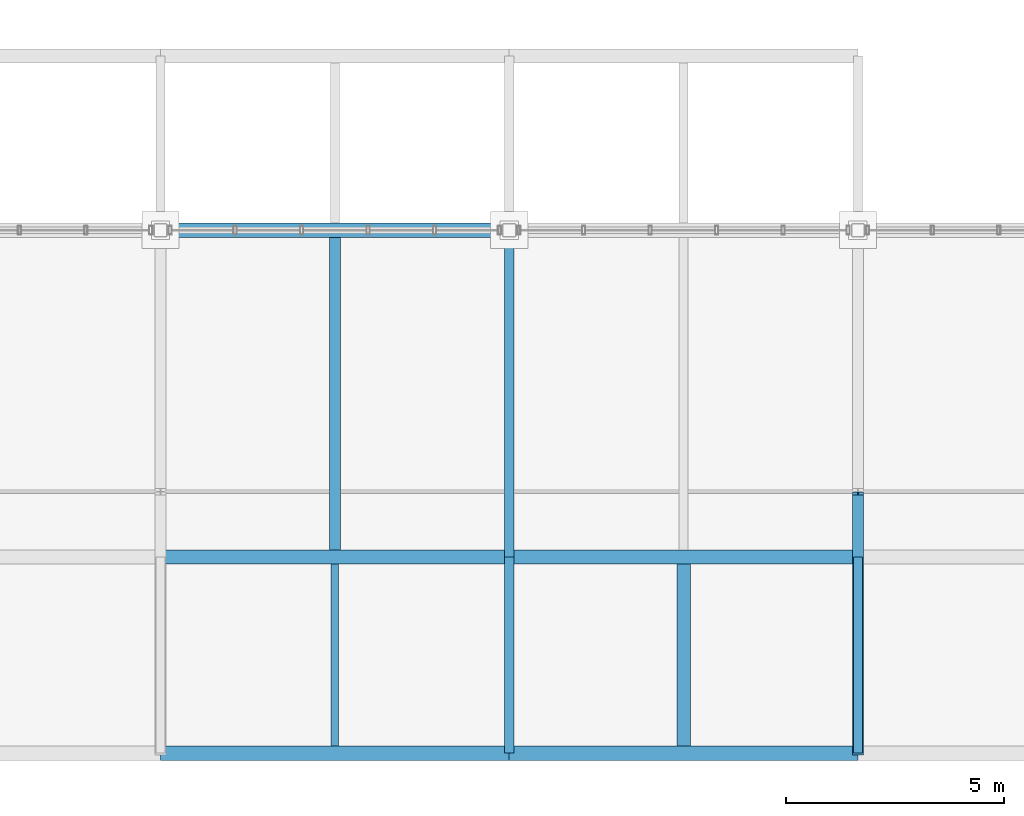
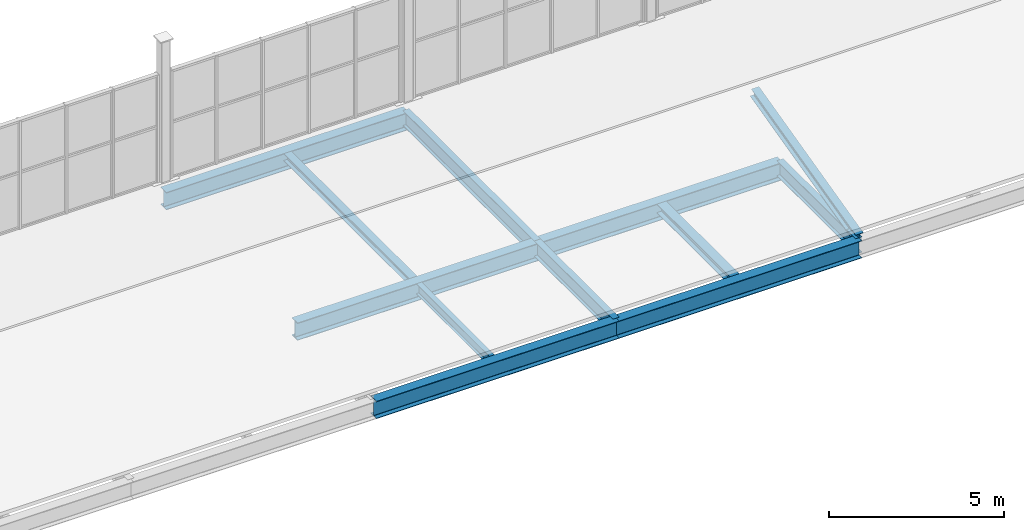
# One storey, part 40 of 96: 11 beams, 1 member.
"""IFC4 building model written with IfcOpenShell, lengths in metres."""

from ifc_helpers import new_model, si_unit, direction, frame, origin, origin_2d, place, context, subcontext, project, spatial, i_section, extrude, material, material_profile, profile_set, type_object, element, save


model = new_model("IFC4")

# Units and contexts
model_context = context("Model", 3, precision=1e-05, world=origin(), true_north=direction((0.0, 1.0)))
body_context = subcontext(model_context, "Body", "Model", "MODEL_VIEW")
ifc_project = project(units=[si_unit("LENGTHUNIT", "METRE"), si_unit("AREAUNIT", "SQUARE_METRE"), si_unit("VOLUMEUNIT", "CUBIC_METRE"), si_unit("PLANEANGLEUNIT", "RADIAN"), si_unit("MASSUNIT", "GRAM", prefix="KILO")], contexts=[model_context])

# Site, building, storey
site_placement = place(None, origin())
site = spatial("IfcSite", under=ifc_project, at=site_placement, CompositionType="ELEMENT")
building_placement = place(site_placement, origin())
building = spatial("IfcBuilding", under=site, at=building_placement, Name="Verrall Gate Interchange", CompositionType="ELEMENT")
storey_placement = place(building_placement, frame((0.0, 0.0, 11.39990234375)))
storey = spatial("IfcBuildingStorey", under=building, at=storey_placement, Name="L03", CompositionType="ELEMENT", Elevation=11.39990234375)

# Beams
ifc_material_1 = material(Name="Structural Steel CSA G40.21 350WT Cat 4", Category="steel")
ifc_material_profile_1 = material_profile(ifc_material_1, i_section(OverallWidth=0.323974609375, OverallDepth=0.611083984375, WebThickness=0.0126953125, FlangeThickness=0.01904296875, FilletRadius=0.014892578125, at=origin_2d()), Name="W610x155")
ifc_profile_set_1 = profile_set([ifc_material_profile_1], Name="Structural Steel CSA G40.21 350WT Cat 4")
beam_type_1 = type_object("IfcBeamType", Name="B-08 Structural Beam W610x155", PredefinedType="BEAM", material=ifc_profile_set_1)
for number, where, z_axis, x_axis, name in (
    (1, (76.0, 0.0, -0.635498046875), (1.0, 0.0, 0.0), (0.0, 1.0, 0.0), "L03 Girder BM-L03-1986 (B-08)"),
    (2, (84.0, 0.0, -0.635498046875), (1.0, 0.0, 0.0), (0.0, 1.0, 0.0), "L03 Girder BM-L03-1987 (B-08)"),
    (3, (76.0, 4.5, -0.635498046875), (1.0, 0.0, 0.0), (0.0, 1.0, 0.0), "L03 Girder BM-L03-2002 (B-08)"),
    (4, (84.0, 4.5, -0.635498046875), (1.0, 0.0, 0.0), (0.0, 1.0, 0.0), "L03 Girder BM-L03-2003 (B-08)"),
    (5, (76.0, 12.0, -0.635498046875), (1.0, 0.0, 0.0), (0.0, 1.0, 0.0), "L03 Girder BM-L03-2017 (B-08)"),
):
    element("IfcBeam", number, at=place(storey_placement, frame(where, z_axis=z_axis, x_axis=x_axis)), inside=storey, type_object=beam_type_1, Name=name, PredefinedType="BEAM", context=body_context, shape_type="SweptSolid", body=[
        extrude(i_section(OverallWidth=0.323974609375, OverallDepth=0.611083984375, WebThickness=0.0126953125, FlangeThickness=0.01904296875, FilletRadius=0.014892578125, at=origin_2d()), origin(), (0.0, 0.0, 1.0), 8.0),
    ])
ifc_material_2 = material(Name="Structural Steel CSA G40.21 350W", Category="steel")
ifc_material_profile_2 = material_profile(ifc_material_2, i_section(OverallWidth=0.2109375, OverallDepth=0.5390625, WebThickness=0.01171875, FlangeThickness=0.018798828125, FilletRadius=0.013916015625, at=origin_2d()), Name="W530x109")
ifc_profile_set_2 = profile_set([ifc_material_profile_2], Name="Structural Steel CSA G40.21 350W")
beam_type_2 = type_object("IfcBeamType", Name="B-10 Structural Beam W530x109", PredefinedType="BEAM", material=ifc_profile_set_2)
beam_1_placement = place(storey_placement, frame((84.0, 0.0, -0.599365234375), z_axis=(0.0, 1.0, 0.0), x_axis=(-1.0, 0.0, 0.0)))
element("IfcBeam", 6, at=beam_1_placement, inside=storey, type_object=beam_type_2, Name="L03 Girder BM-L03-2296 (B-10)", PredefinedType="BEAM", context=body_context, shape_type="SweptSolid", body=[
    extrude(i_section(OverallWidth=0.2109375, OverallDepth=0.5390625, WebThickness=0.01171875, FlangeThickness=0.018798828125, FilletRadius=0.013916015625, at=origin_2d()), origin(), (0.0, 0.0, 1.0), 4.5),
])
beam_2_placement = place(storey_placement, frame((84.0, 4.5, -0.599365234375), z_axis=(0.0, 1.0, 0.0), x_axis=(-1.0, 0.0, 0.0)))
element("IfcBeam", 7, at=beam_2_placement, inside=storey, type_object=beam_type_2, Name="L03 Girder BM-L03-2297 (B-10)", PredefinedType="BEAM", context=body_context, shape_type="SweptSolid", body=[
    extrude(i_section(OverallWidth=0.2109375, OverallDepth=0.5390625, WebThickness=0.01171875, FlangeThickness=0.018798828125, FilletRadius=0.013916015625, at=origin_2d()), origin(), (0.0, 0.0, 1.0), 7.5),
])
beam_3_placement = place(storey_placement, frame((92.0, 0.0, -0.599365234375), z_axis=(0.0, 1.0, 0.0), x_axis=(-1.0, 0.0, 0.0)))
element("IfcBeam", 8, at=beam_3_placement, inside=storey, type_object=beam_type_2, Name="L03 Girder BM-L03-2301 (B-10)", PredefinedType="BEAM", context=body_context, shape_type="SweptSolid", body=[
    extrude(i_section(OverallWidth=0.2109375, OverallDepth=0.5390625, WebThickness=0.01171875, FlangeThickness=0.018798828125, FilletRadius=0.013916015625, at=origin_2d()), origin(), (0.0, 0.0, 1.0), 4.5),
])
ifc_material_3 = material(Name="Structural Steel CSA G40.21 350W", Category="steel")
ifc_material_profile_3 = material_profile(ifc_material_3, i_section(OverallWidth=0.172119140625, OverallDepth=0.35791015625, WebThickness=0.0078125, FlangeThickness=0.01318359375, FilletRadius=0.010986328125, at=origin_2d()), Name="W360x57")
ifc_profile_set_3 = profile_set([ifc_material_profile_3], Name="Structural Steel CSA G40.21 350W")
beam_type_3 = type_object("IfcBeamType", Name="J-01 Floor Joist W360x57", PredefinedType="JOIST", material=ifc_profile_set_3)
beam_4_placement = place(storey_placement, frame((80.0, 0.162109375, -0.5087890625), z_axis=(0.0, 1.0, 0.0), x_axis=(-1.0, 0.0, 0.0)))
element("IfcBeam", 9, at=beam_4_placement, inside=storey, type_object=beam_type_3, Name="L03 Secondary Floor Joist JST-L03-2389", PredefinedType="JOIST", context=body_context, shape_type="SweptSolid", body=[
    extrude(i_section(OverallWidth=0.172119140625, OverallDepth=0.35791015625, WebThickness=0.0078125, FlangeThickness=0.01318359375, FilletRadius=0.010986328125, at=origin_2d()), origin(), (0.0, 0.0, 1.0), 4.17578125),
])
ifc_material_4 = material(Name="Structural Steel CSA G40.21 350W", Category="steel")
ifc_material_profile_4 = material_profile(ifc_material_4, i_section(OverallWidth=0.306884765625, OverallDepth=0.31396484375, WebThickness=0.011962890625, FlangeThickness=0.018798828125, FilletRadius=0.013916015625, at=origin_2d()), Name="W310x118")
ifc_profile_set_4 = profile_set([ifc_material_profile_4], Name="Structural Steel CSA G40.21 350W")
beam_type_4 = type_object("IfcBeamType", Name="J-02 Floor Joist W310x118", PredefinedType="JOIST", material=ifc_profile_set_4)
beam_5_placement = place(storey_placement, frame((88.0, 0.162109375, -0.48681640625), z_axis=(0.0, 1.0, 0.0), x_axis=(-1.0, 0.0, 0.0)))
element("IfcBeam", 10, at=beam_5_placement, inside=storey, type_object=beam_type_4, Name="L03 Secondary Floor Joist JST-L03-2390", PredefinedType="JOIST", context=body_context, shape_type="SweptSolid", body=[
    extrude(i_section(OverallWidth=0.306884765625, OverallDepth=0.31396484375, WebThickness=0.011962890625, FlangeThickness=0.018798828125, FilletRadius=0.013916015625, at=origin_2d()), origin(), (0.0, 0.0, 1.0), 4.17578125),
])
ifc_material_5 = material(Name="Structural Steel CSA G40.21 350W", Category="steel")
ifc_material_profile_5 = material_profile(ifc_material_5, i_section(OverallWidth=0.25390625, OverallDepth=0.2529296875, WebThickness=0.008544921875, FlangeThickness=0.01416015625, FilletRadius=0.011962890625, at=origin_2d()), Name="W250x73")
ifc_profile_set_5 = profile_set([ifc_material_profile_5], Name="Structural Steel CSA G40.21 350W")
beam_type_5 = type_object("IfcBeamType", Name="J-05 Floor Joist W250x73", PredefinedType="JOIST", material=ifc_profile_set_5)
beam_6_placement = place(storey_placement, frame((80.0, 4.662109375, -0.456298828125), z_axis=(0.0, 1.0, 0.0), x_axis=(-1.0, 0.0, 0.0)))
element("IfcBeam", 11, at=beam_6_placement, inside=storey, type_object=beam_type_5, Name="L03 Secondary Floor Joist JST-L03-2403", PredefinedType="JOIST", context=body_context, shape_type="SweptSolid", body=[
    extrude(i_section(OverallWidth=0.25390625, OverallDepth=0.2529296875, WebThickness=0.008544921875, FlangeThickness=0.01416015625, FilletRadius=0.011962890625, at=origin_2d()), origin(), (0.0, 0.0, 1.0), 7.17578125),
])

# Member
ifc_material_6 = material(Name="Structural Steel CSA G40.21 350WT Cat 4", Category="steel")
ifc_material_profile_6 = material_profile(ifc_material_6, i_section(OverallWidth=0.25390625, OverallDepth=0.305908203125, WebThickness=0.0087890625, FlangeThickness=0.0146484375, FilletRadius=0.012939453125, at=origin_2d()), Name="W310x79")
ifc_profile_set_6 = profile_set([ifc_material_profile_6], Name="Structural Steel CSA G40.21 350WT Cat 4")
member_type = type_object("IfcMemberType", Name="RF-03 Folded Roof Rafter W310x79", PredefinedType="RAFTER", material=ifc_profile_set_6)
member_placement = place(storey_placement, frame((92.0, 0.0, -0.31982421875), z_axis=(0.0, 0.970524816174, 0.241001205786), x_axis=(-1.0, 0.0, 0.0)))
element("IfcMember", 12, at=member_placement, inside=storey, type_object=member_type, Name="Portico Roof Rafter S 92", PredefinedType="RAFTER", context=body_context, shape_type="SweptSolid", body=[
    extrude(i_section(OverallWidth=0.25390625, OverallDepth=0.305908203125, WebThickness=0.0087890625, FlangeThickness=0.0146484375, FilletRadius=0.012939453125, at=origin_2d()), origin(), (0.0, 0.0, 1.0), 6.140869140625),
])

save(model, "model.ifc")
